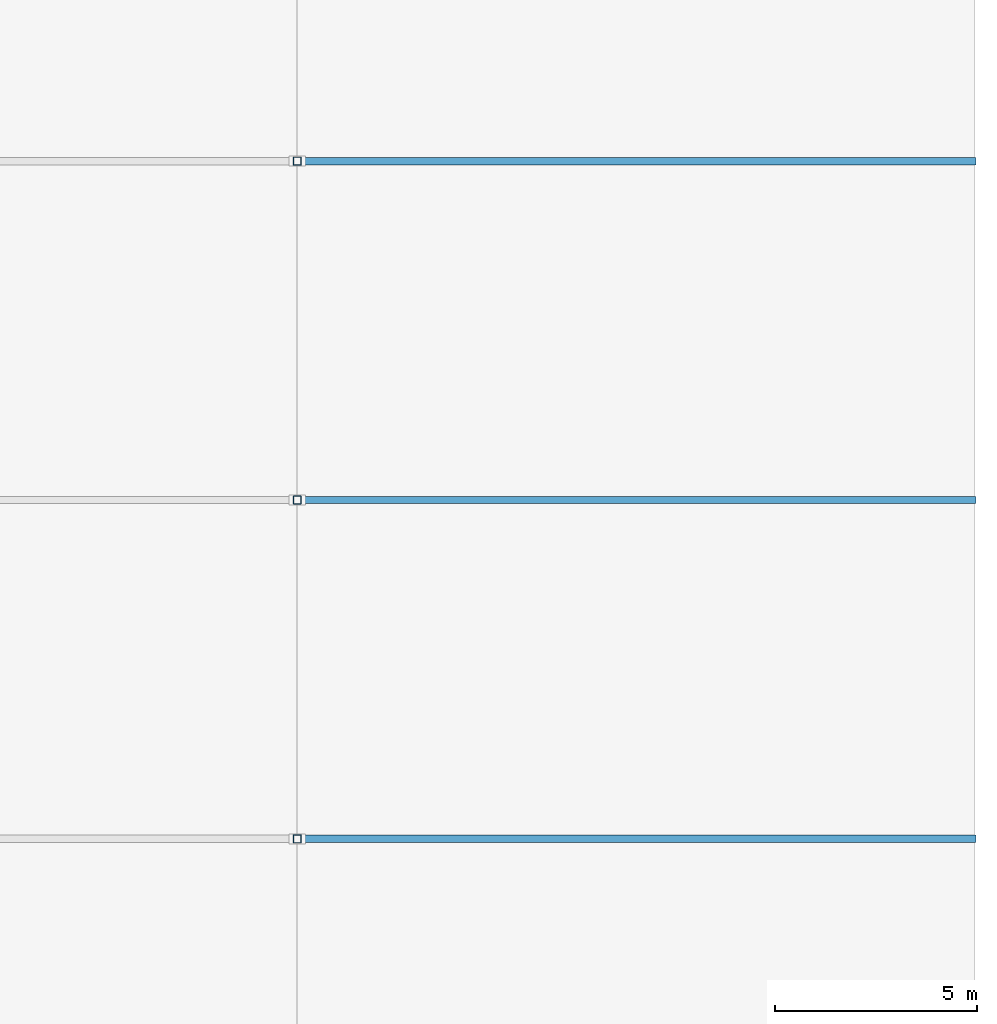
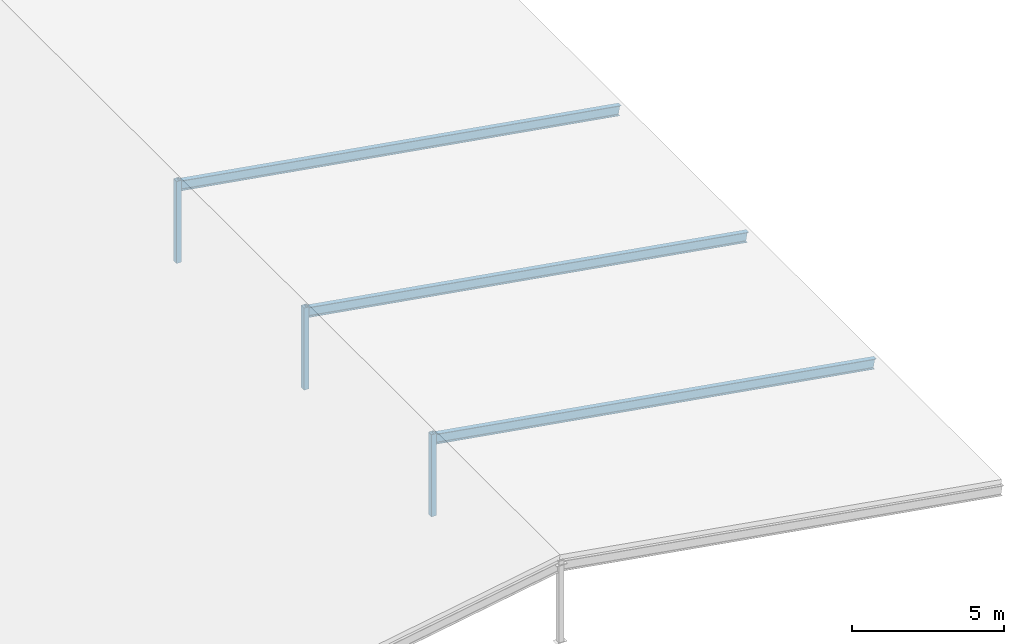
# One storey, part 11 of 31: 3 beams, 3 members.
"""IFC4 building model written with IfcOpenShell, lengths in metres."""

from ifc_helpers import new_model, si_unit, direction, frame, origin, origin_2d, place, context, subcontext, project, spatial, hollow_rectangle, i_section, extrude, material, material_profile, profile_set, type_object, element, save


model = new_model("IFC4")

# Units and contexts
model_context = context("Model", 3, precision=1e-05, world=origin(), true_north=direction((0.0, 1.0)))
body_context = subcontext(model_context, "Body", "Model", "MODEL_VIEW")
ifc_project = project(units=[si_unit("LENGTHUNIT", "METRE"), si_unit("AREAUNIT", "SQUARE_METRE"), si_unit("VOLUMEUNIT", "CUBIC_METRE"), si_unit("PLANEANGLEUNIT", "RADIAN"), si_unit("MASSUNIT", "GRAM", prefix="KILO")], contexts=[model_context])

# Site, building, storey
site_placement = place(None, origin())
site = spatial("IfcSite", under=ifc_project, at=site_placement, CompositionType="ELEMENT")
building_placement = place(site_placement, origin())
building = spatial("IfcBuilding", under=site, at=building_placement, Name="Varnapada Polytechnic", CompositionType="ELEMENT")
storey_placement = place(building_placement, frame((0.0, 0.0, 22.199951171875)))
storey = spatial("IfcBuildingStorey", under=building, at=storey_placement, Name="L05", CompositionType="ELEMENT", Elevation=22.199951171875)

# Beams
ifc_material = material(Name="Steel S355", Category="steel")
ifc_material_profile_1 = material_profile(ifc_material, i_section(OverallWidth=0.179931640625, OverallDepth=0.39990234375, WebThickness=0.008544921875, FlangeThickness=0.013427734375, FilletRadius=0.02099609375, at=origin_2d()), Name="IPE 400")
ifc_profile_set_1 = profile_set([ifc_material_profile_1], Name="Steel S355")
beam_type = type_object("IfcBeamType", Name="Library hipped roof rafter SB-06 (IPE 400)", PredefinedType="BEAM", material=ifc_profile_set_1)
for number, where, z_axis, x_axis, name in (
    (1, (176.39990234375, 75.60009765625, 0.2099609375), (-0.986009413701, 0.0, 0.166689640028), (0.0, -1.0, 0.0), "Library east pitched rafter Y10"),
    (2, (176.39990234375, 84.0, 0.2099609375), (-0.986009413701, 0.0, 0.166689640028), (0.0, -1.0, 0.0), "Library east pitched rafter Y11"),
    (3, (176.39990234375, 92.39990234375, 0.2099609375), (-0.986009413701, 0.0, 0.166689640028), (0.0, -1.0, 0.0), "Library east pitched rafter Y12"),
):
    element("IfcBeam", number, at=place(storey_placement, frame(where, z_axis=z_axis, x_axis=x_axis)), inside=storey, type_object=beam_type, Name=name, PredefinedType="BEAM", context=body_context, shape_type="SweptSolid", body=[
        extrude(i_section(OverallWidth=0.179931640625, OverallDepth=0.39990234375, WebThickness=0.008544921875, FlangeThickness=0.013427734375, FilletRadius=0.02099609375, at=origin_2d()), origin(), (0.0, 0.0, 1.0), 17.0380859375),
    ])

# Members
ifc_material_profile_2 = material_profile(ifc_material, hollow_rectangle(XDim=0.199951171875, YDim=0.199951171875, WallThickness=0.008056640625, InnerFilletRadius=0.008056640625, OuterFilletRadius=0.01611328125, at=origin_2d()), Name="SHS 200x200x8")
ifc_profile_set_2 = profile_set([ifc_material_profile_2], Name="Steel S355")
member_type = type_object("IfcMemberType", Name="Roof clerestory king post SFP-01 (SHS 200x200x8)", PredefinedType="POST", material=ifc_profile_set_2)
for number, where, z_axis, x_axis, name in (
    (4, (159.60009765625, 75.60009765625, -0.02001953125), (0.0, 0.0, 1.0), (1.0, 0.0, 0.0), "Library ridge strut Y10"),
    (5, (159.60009765625, 84.0, -0.02001953125), (0.0, 0.0, 1.0), (1.0, 0.0, 0.0), "Library ridge strut Y11"),
    (6, (159.60009765625, 92.39990234375, -0.02001953125), (0.0, 0.0, 1.0), (1.0, 0.0, 0.0), "Library ridge strut Y12"),
):
    element("IfcMember", number, at=place(storey_placement, frame(where, z_axis=z_axis, x_axis=x_axis)), inside=storey, type_object=member_type, Name=name, PredefinedType="POST", context=body_context, shape_type="SweptSolid", body=[
        extrude(hollow_rectangle(XDim=0.199951171875, YDim=0.199951171875, WallThickness=0.008056640625, InnerFilletRadius=0.008056640625, OuterFilletRadius=0.01611328125, at=origin_2d()), origin(), (0.0, 0.0, 1.0), 3.300048828125),
    ])

save(model, "model.ifc")
